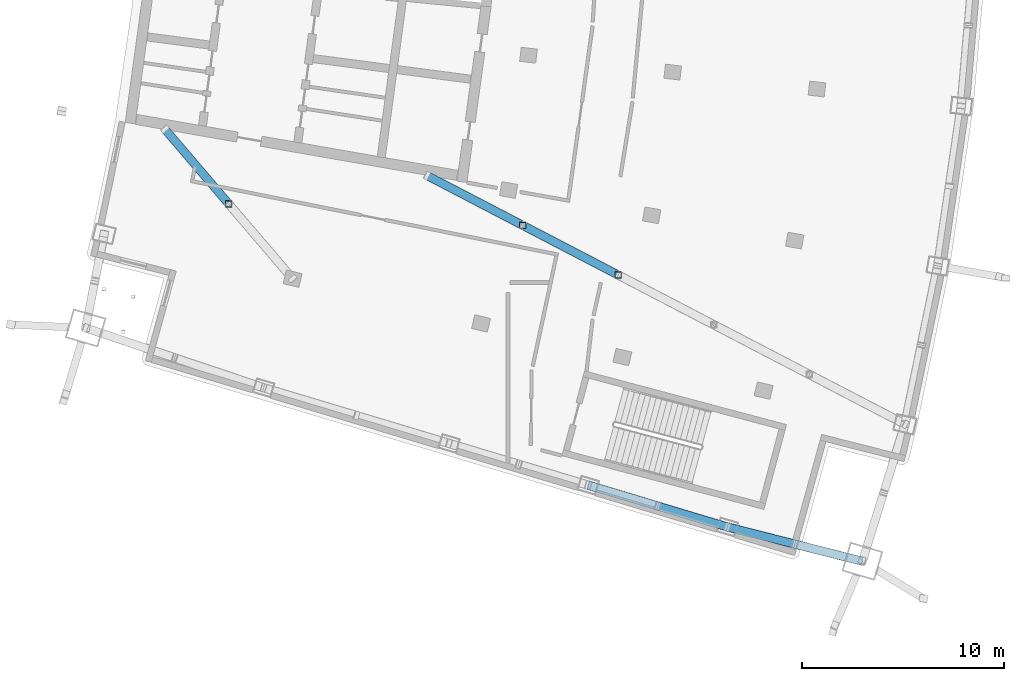
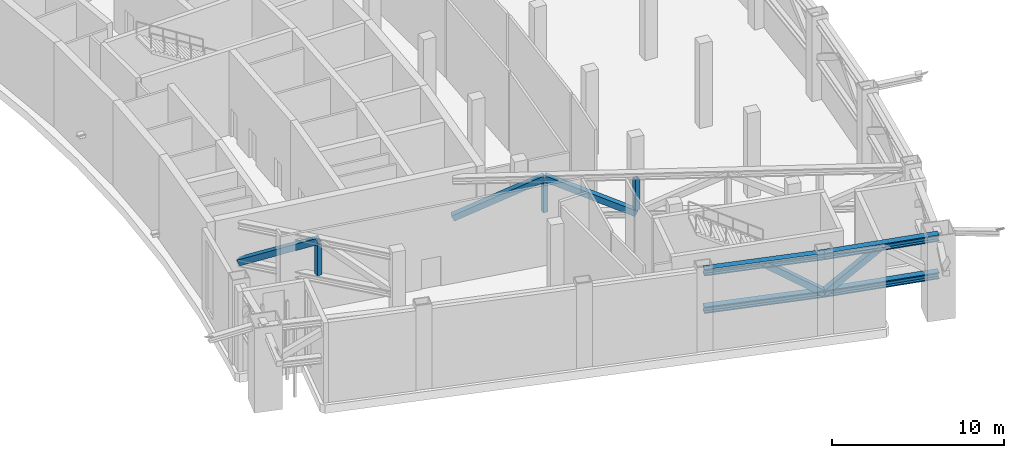
# One storey, part 7 of 23: 12 members.
"""IFC4 building model written with IfcOpenShell, lengths in metres."""

from ifc_helpers import new_model, si_unit, direction, frame, origin, origin_2d, place, context, subcontext, project, spatial, hollow_rectangle, i_section, extrude, material, material_profile, profile_set, type_object, element, save


model = new_model("IFC4")

# Units and contexts
model_context = context("Model", 3, precision=1e-05, world=origin(), true_north=direction((0.0, 1.0)))
body_context = subcontext(model_context, "Body", "Model", "MODEL_VIEW")
ifc_project = project(units=[si_unit("LENGTHUNIT", "METRE"), si_unit("AREAUNIT", "SQUARE_METRE"), si_unit("VOLUMEUNIT", "CUBIC_METRE"), si_unit("PLANEANGLEUNIT", "RADIAN"), si_unit("MASSUNIT", "GRAM", prefix="KILO")], contexts=[model_context])

# Site, building, storey
site_placement = place(None, origin())
site = spatial("IfcSite", under=ifc_project, at=site_placement, CompositionType="ELEMENT")
building_placement = place(site_placement, origin())
building = spatial("IfcBuilding", under=site, at=building_placement, Name="Alderwake Tower", CompositionType="ELEMENT")
storey_placement = place(building_placement, frame((0.0, 0.0, 239.60009765625)))
storey = spatial("IfcBuildingStorey", under=building, at=storey_placement, Name="L59", CompositionType="ELEMENT", Elevation=239.60009765625)

# Members
ifc_material_1 = material(Name="Steel ASTM A992 Grade 50", Category="steel")
ifc_material_profile_1 = material_profile(ifc_material_1, i_section(OverallWidth=0.42138671875, OverallDepth=0.464599609375, WebThickness=0.044921875, FlangeThickness=0.072265625, at=origin_2d()), Name="W14X398")
ifc_profile_set_1 = profile_set([ifc_material_profile_1], Name="Steel ASTM A992 Grade 50")
member_type_1 = type_object("IfcMemberType", Name="Belt truss chord W14X398", PredefinedType="CHORD", material=ifc_profile_set_1)
for number, where, z_axis, x_axis, name in (
    (1, (37.976318359375, 26.20654296875, 5.447509765625), (0.957768404261, -0.287540751545, 0.0), (0.287540751545, 0.957768404261, 0.0), "Belt truss chord BT59E023.T"),
    (2, (37.976318359375, 26.20654296875, 2.7822265625), (0.957768404261, -0.287540751545, 0.0), (0.287540751545, 0.957768404261, 0.0), "Belt truss chord BT59E023.B"),
):
    element("IfcMember", number, at=place(storey_placement, frame(where, z_axis=z_axis, x_axis=x_axis)), inside=storey, type_object=member_type_1, Name=name, PredefinedType="CHORD", context=body_context, shape_type="SweptSolid", body=[
        extrude(i_section(OverallWidth=0.42138671875, OverallDepth=0.464599609375, WebThickness=0.044921875, FlangeThickness=0.072265625, at=origin_2d()), origin(), (0.0, 0.0, 1.0), 7.199951171875),
    ])
for number, where, z_axis, x_axis, name in (
    (3, (44.872314453125, 24.13623046875, 5.447509765625), (0.969283770073, -0.245945061087, 0.0), (0.245945061087, 0.969283770073, 0.0), "Belt truss chord BT59E024.T"),
    (4, (44.872314453125, 24.13623046875, 2.7822265625), (0.969283770073, -0.245945061087, 0.0), (0.245945061087, 0.969283770073, 0.0), "Belt truss chord BT59E024.B"),
):
    element("IfcMember", number, at=place(storey_placement, frame(where, z_axis=z_axis, x_axis=x_axis)), inside=storey, type_object=member_type_1, Name=name, PredefinedType="CHORD", context=body_context, shape_type="SweptSolid", body=[
        extrude(i_section(OverallWidth=0.42138671875, OverallDepth=0.464599609375, WebThickness=0.044921875, FlangeThickness=0.072265625, at=origin_2d()), origin(), (0.0, 0.0, 1.0), 6.905029296875),
    ])
ifc_material_2 = material(Name="Steel ASTM A500 Grade C", Category="steel")
ifc_material_profile_2 = material_profile(ifc_material_2, hollow_rectangle(XDim=0.406494140625, YDim=0.406494140625, WallThickness=0.014892578125, at=origin_2d()), Name="HSS16X16X5/8")
ifc_profile_set_2 = profile_set([ifc_material_profile_2], Name="Steel ASTM A500 Grade C")
member_type_2 = type_object("IfcMemberType", Name="Belt truss diagonal HSS16X16X5/8", PredefinedType="BRACE", material=ifc_profile_set_2)
member_1_placement = place(storey_placement, frame((44.872314453125, 24.13623046875, 2.7822265625), z_axis=(-0.769765668838, 0.231098664297, 0.595024556164), x_axis=(-0.287540751545, -0.957768404261, 0.0)))
element("IfcMember", 5, at=member_1_placement, inside=storey, type_object=member_type_2, Name="Belt truss diagonal BT59E023.D2", PredefinedType="BRACE", context=body_context, shape_type="SweptSolid", body=[
    extrude(hollow_rectangle(XDim=0.406494140625, YDim=0.406494140625, WallThickness=0.014892578125, at=origin_2d()), origin(), (0.0, 0.0, 1.0), 4.479248046875),
])
member_2_placement = place(storey_placement, frame((44.872314453125, 24.13623046875, 2.7822265625), z_axis=(0.767253209672, -0.194682035693, 0.611082168964), x_axis=(0.245945061087, 0.969283770073, 0.0)))
element("IfcMember", 6, at=member_2_placement, inside=storey, type_object=member_type_2, Name="Belt truss diagonal BT59E024.D1", PredefinedType="BRACE", context=body_context, shape_type="SweptSolid", body=[
    extrude(hollow_rectangle(XDim=0.406494140625, YDim=0.406494140625, WallThickness=0.014892578125, at=origin_2d()), origin(), (0.0, 0.0, 1.0), 4.361572265625),
])
ifc_material_3 = material(Name="Steel ASTM A500 Grade C", Category="steel")
ifc_material_profile_3 = material_profile(ifc_material_3, hollow_rectangle(XDim=0.406494140625, YDim=0.406494140625, WallThickness=0.014892578125, at=origin_2d()), Name="HSS16X16X5/8")
ifc_profile_set_3 = profile_set([ifc_material_profile_3], Name="Steel ASTM A500 Grade C")
member_type_3 = type_object("IfcMemberType", Name="Outrigger truss diagonal HSS16X16X5/8", PredefinedType="BRACE", material=ifc_profile_set_3)
member_3_placement = place(storey_placement, frame((16.99560546875, 43.850341796875, 2.7822265625), z_axis=(0.569745246376, -0.667018825025, 0.480079411445), x_axis=(0.760373678193, 0.649485850124, 0.0)))
element("IfcMember", 7, at=member_3_placement, inside=storey, type_object=member_type_3, Name="Outrigger truss diagonal OR59SR.D1", PredefinedType="BRACE", context=body_context, shape_type="SweptSolid", body=[
    extrude(hollow_rectangle(XDim=0.406494140625, YDim=0.406494140625, WallThickness=0.014892578125, at=origin_2d()), origin(), (0.0, 0.0, 1.0), 5.5517578125),
])
for number, where, z_axis, x_axis, name in (
    (8, (29.993896484375, 41.552001953125, 2.7822265625), (0.793718676682, -0.412957905388, 0.446627843582), (0.461549965469, 0.887114214391, 0.0), "Outrigger truss diagonal OR59SF.D1"),
    (9, (39.467041015625, 36.623291015625, 2.7822265625), (-0.793718676682, 0.412957905388, 0.446627843582), (-0.461549965469, -0.887114214391, 0.0), "Outrigger truss diagonal OR59SF.D2"),
):
    element("IfcMember", number, at=place(storey_placement, frame(where, z_axis=z_axis, x_axis=x_axis)), inside=storey, type_object=member_type_3, Name=name, PredefinedType="BRACE", context=body_context, shape_type="SweptSolid", body=[
        extrude(hollow_rectangle(XDim=0.406494140625, YDim=0.406494140625, WallThickness=0.014892578125, at=origin_2d()), origin(), (0.0, 0.0, 1.0), 5.967529296875),
    ])
ifc_material_4 = material(Name="Steel ASTM A500 Grade C", Category="steel")
ifc_material_profile_4 = material_profile(ifc_material_4, hollow_rectangle(XDim=0.3046875, YDim=0.3046875, WallThickness=0.01171875, at=origin_2d()), Name="HSS12X12X1/2")
ifc_profile_set_4 = profile_set([ifc_material_profile_4], Name="Steel ASTM A500 Grade C")
member_type_4 = type_object("IfcMemberType", Name="Outrigger truss post HSS12X12X1/2", PredefinedType="POST", material=ifc_profile_set_4)
for number, where, z_axis, x_axis, name in (
    (10, (20.15869140625, 40.147216796875, 3.014404296875), (0.0, 0.0, 1.0), (1.0, 0.0, 0.0), "Outrigger truss post OR59SR.P1"),
    (11, (34.73046875, 39.087646484375, 3.014404296875), (0.0, 0.0, 1.0), (1.0, 0.0, 0.0), "Outrigger truss post OR59SF.P1"),
    (12, (39.467041015625, 36.623291015625, 3.014404296875), (0.0, 0.0, 1.0), (1.0, 0.0, 0.0), "Outrigger truss post OR59SF.P2"),
):
    element("IfcMember", number, at=place(storey_placement, frame(where, z_axis=z_axis, x_axis=x_axis)), inside=storey, type_object=member_type_4, Name=name, PredefinedType="POST", context=body_context, shape_type="SweptSolid", body=[
        extrude(hollow_rectangle(XDim=0.3046875, YDim=0.3046875, WallThickness=0.01171875, at=origin_2d()), origin(), (0.0, 0.0, 1.0), 2.200927734375),
    ])

save(model, "model.ifc")
